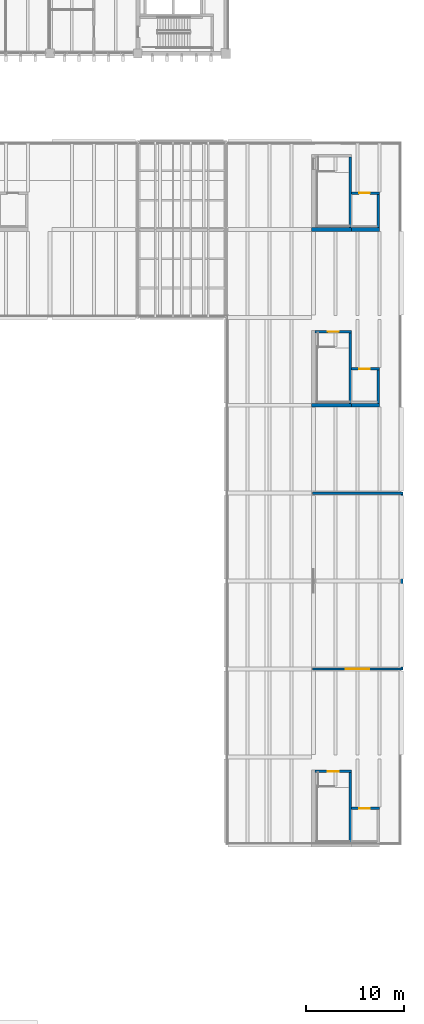
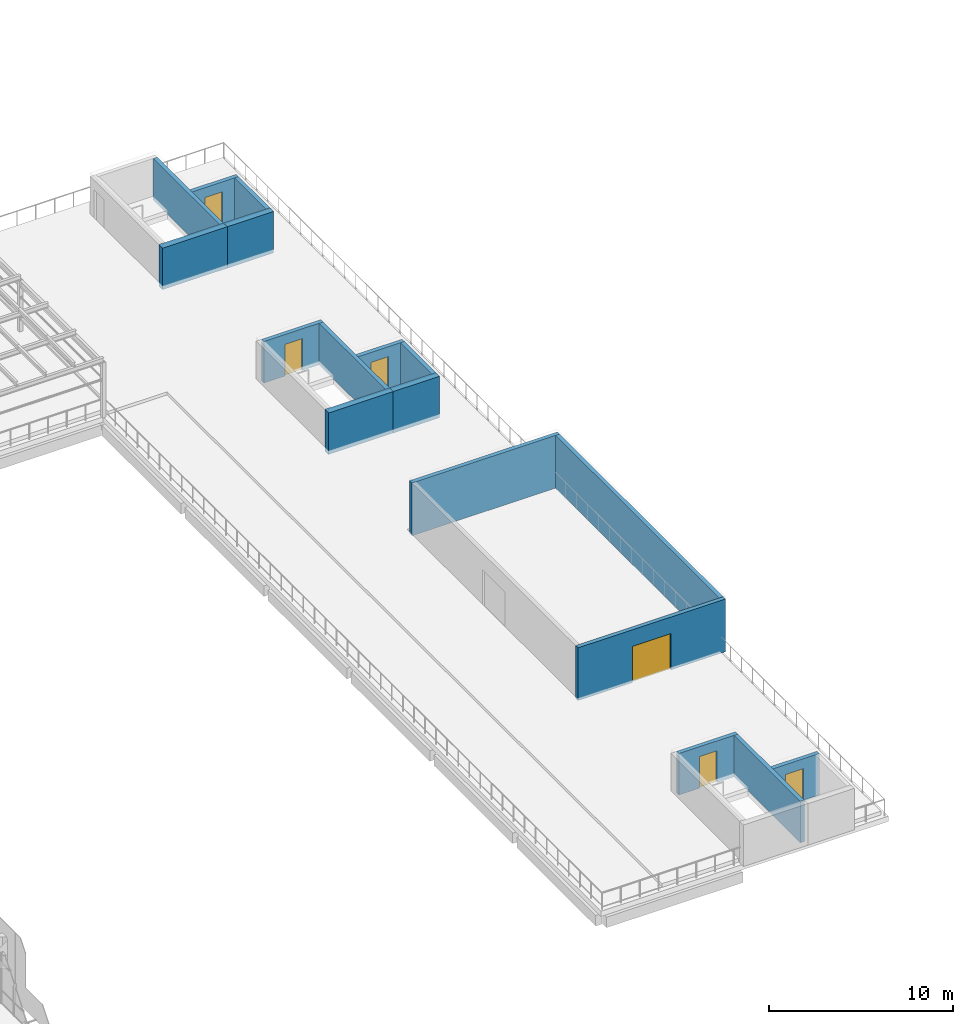
# One storey, part 47 of 74: 17 walls, 6 doors, 6 openings.
"""IFC4 building model written with IfcOpenShell, lengths in metres."""

from ifc_helpers import new_model, si_unit, direction, frame, frame_2d, origin, place, context, subcontext, project, spatial, rectangle, extrude, material, layer, layer_set, type_object, element, fill, save


model = new_model("IFC4")

# Units and contexts
model_context = context("Model", 3, precision=1e-05, world=origin(), true_north=direction((0.0, 1.0)))
body_context = subcontext(model_context, "Body", "Model", "MODEL_VIEW")
ifc_project = project(units=[si_unit("LENGTHUNIT", "METRE"), si_unit("AREAUNIT", "SQUARE_METRE"), si_unit("VOLUMEUNIT", "CUBIC_METRE"), si_unit("PLANEANGLEUNIT", "RADIAN"), si_unit("MASSUNIT", "GRAM", prefix="KILO")], contexts=[model_context])

# Site, building, storey
site_placement = place(None, origin())
site = spatial("IfcSite", under=ifc_project, at=site_placement, CompositionType="ELEMENT")
building_placement = place(site_placement, origin())
building = spatial("IfcBuilding", under=site, at=building_placement, Name="Merrow Basin Faculty of Sciences", CompositionType="ELEMENT")
storey_placement = place(building_placement, frame((0.0, 0.0, 13.5)))
storey = spatial("IfcBuildingStorey", under=building, at=storey_placement, Name="L03", CompositionType="ELEMENT", Elevation=13.5)

# Wall, opening, door
ifc_material_1 = material(Name="Concrete C40/50", Category="concrete")
ifc_layer_1 = layer(ifc_material_1, 0.25)
ifc_layer_set_1 = layer_set([ifc_layer_1], Name="Pavilion wall 250 Concrete C40/50")
wall_type_1 = type_object("IfcWallType", Name="Pavilion wall 250 Concrete C40/50", PredefinedType="SHEAR", material=ifc_layer_set_1)
wall_1_placement = place(storey_placement, frame((62.875, 79.0, 0.0), z_axis=(0.0, 0.0, 1.0), x_axis=(1.0, 0.0, 0.0)))
wall_1 = element("IfcWall", 1, at=wall_1_placement, inside=storey, type_object=wall_type_1, Name="SW9 L03 029", PredefinedType="SHEAR", context=body_context, shape_type="SweptSolid", body=[
    extrude(rectangle(XDim=9.25, YDim=0.25, at=frame_2d((4.625, 0.0))), origin(), (0.0, 0.0, 1.0), 3.5),
])
opening_1_placement = place(wall_1_placement, frame((3.425048828125, 0.0, 0.0)))
opening_1 = element("IfcOpeningElement", 2, at=opening_1_placement, cuts=wall_1, Name="Opening D03C002", PredefinedType="OPENING", context=body_context, shape_type="SweptSolid", body=[
    extrude(rectangle(XDim=2.39990234375, YDim=2.39990234375, at=frame_2d((1.199951171875, 1.199951171875))), frame((0.0, 0.135009765625, 0.0), z_axis=(0.0, -1.0, 0.0), x_axis=(1.0, 0.0, 0.0)), (0.0, 0.0, 1.0), 0.27001953125),
])
ifc_material_2 = material(Name="Glazed aluminium door", Category="aluminium")
door_type_1 = type_object("IfcDoorType", Name="Glazed double door 2400 x 2400", OperationType="NOTDEFINED", PredefinedType="DOOR", material=ifc_material_2)
door_1_placement = place(opening_1_placement, frame((2.39990234375, 0.0, 0.0), z_axis=(0.0, 0.0, 1.0), x_axis=(-1.0, 0.0, 0.0)))
door_1 = element("IfcDoor", 3, at=door_1_placement, inside=storey, type_object=door_type_1, Name="Terrace cafe south door", OperationType="DOUBLE_DOOR_SINGLE_SWING", OverallHeight=2.39990234375, OverallWidth=2.39990234375, PredefinedType="DOOR", context=body_context, shape_type="SweptSolid", body=[
    extrude(rectangle(XDim=2.39990234375, YDim=2.39990234375, at=frame_2d((1.199951171875, 1.199951171875))), frame((0.0, 0.02490234375, 0.0), z_axis=(0.0, -1.0, 0.0), x_axis=(1.0, 0.0, 0.0)), (0.0, 0.0, 1.0), 0.050048828125),
])
fill(opening_1, door_1)

# Walls
wall_2_placement = place(storey_placement, frame((62.875, 97.0, 0.0), z_axis=(0.0, 0.0, 1.0), x_axis=(1.0, 0.0, 0.0)))
element("IfcWall", 4, at=wall_2_placement, inside=storey, type_object=wall_type_1, Name="SW9 L03 030", PredefinedType="SHEAR", context=body_context, shape_type="SweptSolid", body=[
    extrude(rectangle(XDim=9.25, YDim=0.25, at=frame_2d((4.625, 0.0))), origin(), (0.0, 0.0, 1.0), 3.5),
])
wall_3_placement = place(storey_placement, frame((72.0, 79.125, 0.0), z_axis=(0.0, 0.0, 1.0), x_axis=(0.0, 1.0, 0.0)))
element("IfcWall", 5, at=wall_3_placement, inside=storey, type_object=wall_type_1, Name="SW9 L03 032", PredefinedType="SHEAR", context=body_context, shape_type="SweptSolid", body=[
    extrude(rectangle(XDim=17.75, YDim=0.25, at=frame_2d((8.875, 0.0))), origin(), (0.0, 0.0, 1.0), 3.5),
])

# Wall, opening, door
ifc_material_3 = material(Name="Concrete C40/50", Category="concrete")
ifc_layer_2 = layer(ifc_material_3, 0.25)
ifc_layer_set_2 = layer_set([ifc_layer_2], Name="Shear wall 250 Concrete C40/50")
wall_type_2 = type_object("IfcWallType", Name="Shear wall 250 Concrete C40/50", PredefinedType="SHEAR", material=ifc_layer_set_2)
wall_4_placement = place(storey_placement, frame((63.14990234375, 68.52490234375, 0.0), z_axis=(0.0, 0.0, 1.0), x_axis=(1.0, 0.0, 0.0)))
wall_4 = element("IfcWall", 6, at=wall_4_placement, inside=storey, type_object=wall_type_2, Name="SW2 L03 009", PredefinedType="SHEAR", context=body_context, shape_type="SweptSolid", body=[
    extrude(rectangle(XDim=3.7001953125, YDim=0.25, at=frame_2d((1.85009765625, 0.0))), origin(), (0.0, 0.0, 1.0), 2.75),
])
opening_2_placement = place(wall_4_placement, frame((1.300048828125, 0.0, 0.0)))
opening_2 = element("IfcOpeningElement", 7, at=opening_2_placement, cuts=wall_4, Name="Opening D03C003", PredefinedType="OPENING", context=body_context, shape_type="SweptSolid", body=[
    extrude(rectangle(XDim=1.10009765625, YDim=2.10009765625, at=frame_2d((0.550048828125, 1.050048828125))), frame((0.0, 0.135009765625, 0.0), z_axis=(0.0, -1.0, 0.0), x_axis=(1.0, 0.0, 0.0)), (0.0, 0.0, 1.0), 0.27001953125),
])
ifc_material_4 = material(Name="Fire-rated steel door", Category="steel")
door_type_2 = type_object("IfcDoorType", Name="Fire door FD90 1100 x 2100", OperationType="NOTDEFINED", PredefinedType="DOOR", material=ifc_material_4)
door_2_placement = place(opening_2_placement, origin())
door_2 = element("IfcDoor", 8, at=door_2_placement, inside=storey, type_object=door_type_2, Name="Stair S roof terrace door", OperationType="SINGLE_SWING_RIGHT", OverallHeight=2.10009765625, OverallWidth=1.10009765625, PredefinedType="DOOR", context=body_context, shape_type="SweptSolid", body=[
    extrude(rectangle(XDim=1.10009765625, YDim=2.10009765625, at=frame_2d((0.550048828125, 1.050048828125))), frame((0.0, 0.02490234375, 0.0), z_axis=(0.0, -1.0, 0.0), x_axis=(1.0, 0.0, 0.0)), (0.0, 0.0, 1.0), 0.050048828125),
])
fill(opening_2, door_2)

# Wall
wall_5_placement = place(storey_placement, frame((66.72509765625, 61.199951171875, 0.0), z_axis=(0.0, 0.0, 1.0), x_axis=(0.0, 1.0, 0.0)))
element("IfcWall", 9, at=wall_5_placement, inside=storey, type_object=wall_type_2, Name="SW2 L03 011", PredefinedType="SHEAR", context=body_context, shape_type="SweptSolid", body=[
    extrude(rectangle(XDim=7.199951171875, YDim=0.25, at=frame_2d((3.60009765625, 0.0))), origin(), (0.0, 0.0, 1.0), 2.75),
])

# Wall, opening, door
wall_6_placement = place(storey_placement, frame((66.85009765625, 64.72509765625, 0.0), z_axis=(0.0, 0.0, 1.0), x_axis=(1.0, 0.0, 0.0)))
wall_6 = element("IfcWall", 10, at=wall_6_placement, inside=storey, type_object=wall_type_2, Name="SW2 L03 013", PredefinedType="SHEAR", context=body_context, shape_type="SweptSolid", body=[
    extrude(rectangle(XDim=2.89990234375, YDim=0.25, at=frame_2d((1.449951171875, 0.0))), origin(), (0.0, 0.0, 1.0), 2.75),
])
opening_3_placement = place(wall_6_placement, frame((0.800048828125, 0.0, 0.0)))
opening_3 = element("IfcOpeningElement", 11, at=opening_3_placement, cuts=wall_6, Name="Opening LD03C02", PredefinedType="OPENING", context=body_context, shape_type="SweptSolid", body=[
    extrude(rectangle(XDim=1.10009765625, YDim=2.10009765625, at=frame_2d((0.550048828125, 1.050048828125))), frame((0.0, 0.135009765625, 0.0), z_axis=(0.0, -1.0, 0.0), x_axis=(1.0, 0.0, 0.0)), (0.0, 0.0, 1.0), 0.27001953125),
])
ifc_material_5 = material(Name="Stainless steel sliding door", Category="steel")
door_type_3 = type_object("IfcDoorType", Name="Lift landing door 1100 x 2100 sliding", OperationType="NOTDEFINED", PredefinedType="DOOR", material=ifc_material_5)
door_3_placement = place(opening_3_placement, origin())
door_3 = element("IfcDoor", 12, at=door_3_placement, inside=storey, type_object=door_type_3, Name="Landing door LF6 L03", OperationType="SLIDING_TO_LEFT", OverallHeight=2.10009765625, OverallWidth=1.10009765625, PredefinedType="DOOR", context=body_context, shape_type="SweptSolid", body=[
    extrude(rectangle(XDim=1.10009765625, YDim=2.10009765625, at=frame_2d((0.550048828125, 1.050048828125))), frame((0.0, 0.02490234375, 0.0), z_axis=(0.0, -1.0, 0.0), x_axis=(1.0, 0.0, 0.0)), (0.0, 0.0, 1.0), 0.050048828125),
])
fill(opening_3, door_3)

wall_7_placement = place(storey_placement, frame((63.14990234375, 113.52490234375, 0.0), z_axis=(0.0, 0.0, 1.0), x_axis=(1.0, 0.0, 0.0)))
wall_7 = element("IfcWall", 13, at=wall_7_placement, inside=storey, type_object=wall_type_2, Name="SW2 L03 016", PredefinedType="SHEAR", context=body_context, shape_type="SweptSolid", body=[
    extrude(rectangle(XDim=3.7001953125, YDim=0.25, at=frame_2d((1.85009765625, 0.0))), origin(), (0.0, 0.0, 1.0), 2.75),
])
opening_4_placement = place(wall_7_placement, frame((1.300048828125, 0.0, 0.0)))
opening_4 = element("IfcOpeningElement", 14, at=opening_4_placement, cuts=wall_7, Name="Opening D03C004", PredefinedType="OPENING", context=body_context, shape_type="SweptSolid", body=[
    extrude(rectangle(XDim=1.10009765625, YDim=2.10009765625, at=frame_2d((0.550048828125, 1.050048828125))), frame((0.0, 0.135009765625, 0.0), z_axis=(0.0, -1.0, 0.0), x_axis=(1.0, 0.0, 0.0)), (0.0, 0.0, 1.0), 0.27001953125),
])
door_4_placement = place(opening_4_placement, origin())
door_4 = element("IfcDoor", 15, at=door_4_placement, inside=storey, type_object=door_type_2, Name="Stair M roof terrace door", OperationType="SINGLE_SWING_RIGHT", OverallHeight=2.10009765625, OverallWidth=1.10009765625, PredefinedType="DOOR", context=body_context, shape_type="SweptSolid", body=[
    extrude(rectangle(XDim=1.10009765625, YDim=2.10009765625, at=frame_2d((0.550048828125, 1.050048828125))), frame((0.0, 0.02490234375, 0.0), z_axis=(0.0, -1.0, 0.0), x_axis=(1.0, 0.0, 0.0)), (0.0, 0.0, 1.0), 0.050048828125),
])
fill(opening_4, door_4)

# Wall
wall_8_placement = place(storey_placement, frame((66.72509765625, 106.199951171875, 0.0), z_axis=(0.0, 0.0, 1.0), x_axis=(0.0, 1.0, 0.0)))
element("IfcWall", 16, at=wall_8_placement, inside=storey, type_object=wall_type_2, Name="SW2 L03 018", PredefinedType="SHEAR", context=body_context, shape_type="SweptSolid", body=[
    extrude(rectangle(XDim=7.199951171875, YDim=0.25, at=frame_2d((3.60009765625, 0.0))), origin(), (0.0, 0.0, 1.0), 2.75),
])

# Wall, opening, door
wall_9_placement = place(storey_placement, frame((66.85009765625, 109.72509765625, 0.0), z_axis=(0.0, 0.0, 1.0), x_axis=(1.0, 0.0, 0.0)))
wall_9 = element("IfcWall", 17, at=wall_9_placement, inside=storey, type_object=wall_type_2, Name="SW2 L03 020", PredefinedType="SHEAR", context=body_context, shape_type="SweptSolid", body=[
    extrude(rectangle(XDim=2.89990234375, YDim=0.25, at=frame_2d((1.449951171875, 0.0))), origin(), (0.0, 0.0, 1.0), 2.75),
])
opening_5_placement = place(wall_9_placement, frame((0.800048828125, 0.0, 0.0)))
opening_5 = element("IfcOpeningElement", 18, at=opening_5_placement, cuts=wall_9, Name="Opening LD03C03", PredefinedType="OPENING", context=body_context, shape_type="SweptSolid", body=[
    extrude(rectangle(XDim=1.10009765625, YDim=2.10009765625, at=frame_2d((0.550048828125, 1.050048828125))), frame((0.0, 0.135009765625, 0.0), z_axis=(0.0, -1.0, 0.0), x_axis=(1.0, 0.0, 0.0)), (0.0, 0.0, 1.0), 0.27001953125),
])
door_5_placement = place(opening_5_placement, origin())
door_5 = element("IfcDoor", 19, at=door_5_placement, inside=storey, type_object=door_type_3, Name="Landing door LF7 L03", OperationType="SLIDING_TO_LEFT", OverallHeight=2.10009765625, OverallWidth=1.10009765625, PredefinedType="DOOR", context=body_context, shape_type="SweptSolid", body=[
    extrude(rectangle(XDim=1.10009765625, YDim=2.10009765625, at=frame_2d((0.550048828125, 1.050048828125))), frame((0.0, 0.02490234375, 0.0), z_axis=(0.0, -1.0, 0.0), x_axis=(1.0, 0.0, 0.0)), (0.0, 0.0, 1.0), 0.050048828125),
])
fill(opening_5, door_5)

# Walls
wall_10_placement = place(storey_placement, frame((69.625, 106.199951171875, 0.0), z_axis=(0.0, 0.0, 1.0), x_axis=(0.0, 1.0, 0.0)))
element("IfcWall", 20, at=wall_10_placement, inside=storey, type_object=wall_type_2, Name="SW2 L03 021", PredefinedType="SHEAR", context=body_context, shape_type="SweptSolid", body=[
    extrude(rectangle(XDim=3.400146484375, YDim=0.25, at=frame_2d((1.7001953125, 0.0))), origin(), (0.0, 0.0, 1.0), 2.75),
])
wall_11_placement = place(storey_placement, frame((66.72509765625, 124.199951171875, 0.0), z_axis=(0.0, 0.0, 1.0), x_axis=(0.0, 1.0, 0.0)))
element("IfcWall", 21, at=wall_11_placement, inside=storey, type_object=wall_type_2, Name="SW2 L03 025", PredefinedType="SHEAR", context=body_context, shape_type="SweptSolid", body=[
    extrude(rectangle(XDim=7.199951171875, YDim=0.25, at=frame_2d((3.60009765625, 0.0))), origin(), (0.0, 0.0, 1.0), 2.75),
])

# Wall, opening, door
wall_12_placement = place(storey_placement, frame((66.85009765625, 127.72509765625, 0.0), z_axis=(0.0, 0.0, 1.0), x_axis=(1.0, 0.0, 0.0)))
wall_12 = element("IfcWall", 22, at=wall_12_placement, inside=storey, type_object=wall_type_2, Name="SW2 L03 027", PredefinedType="SHEAR", context=body_context, shape_type="SweptSolid", body=[
    extrude(rectangle(XDim=2.89990234375, YDim=0.25, at=frame_2d((1.449951171875, 0.0))), origin(), (0.0, 0.0, 1.0), 2.75),
])
opening_6_placement = place(wall_12_placement, frame((0.800048828125, 0.0, 0.0)))
opening_6 = element("IfcOpeningElement", 23, at=opening_6_placement, cuts=wall_12, Name="Opening LD03C04", PredefinedType="OPENING", context=body_context, shape_type="SweptSolid", body=[
    extrude(rectangle(XDim=1.10009765625, YDim=2.10009765625, at=frame_2d((0.550048828125, 1.050048828125))), frame((0.0, 0.135009765625, 0.0), z_axis=(0.0, -1.0, 0.0), x_axis=(1.0, 0.0, 0.0)), (0.0, 0.0, 1.0), 0.27001953125),
])
door_6_placement = place(opening_6_placement, origin())
door_6 = element("IfcDoor", 24, at=door_6_placement, inside=storey, type_object=door_type_3, Name="Landing door LF8 L03", OperationType="SLIDING_TO_LEFT", OverallHeight=2.10009765625, OverallWidth=1.10009765625, PredefinedType="DOOR", context=body_context, shape_type="SweptSolid", body=[
    extrude(rectangle(XDim=1.10009765625, YDim=2.10009765625, at=frame_2d((0.550048828125, 1.050048828125))), frame((0.0, 0.02490234375, 0.0), z_axis=(0.0, -1.0, 0.0), x_axis=(1.0, 0.0, 0.0)), (0.0, 0.0, 1.0), 0.050048828125),
])
fill(opening_6, door_6)

# Walls
wall_13_placement = place(storey_placement, frame((69.625, 124.199951171875, 0.0), z_axis=(0.0, 0.0, 1.0), x_axis=(0.0, 1.0, 0.0)))
element("IfcWall", 25, at=wall_13_placement, inside=storey, type_object=wall_type_2, Name="SW2 L03 028", PredefinedType="SHEAR", context=body_context, shape_type="SweptSolid", body=[
    extrude(rectangle(XDim=3.400146484375, YDim=0.25, at=frame_2d((1.7001953125, 0.0))), origin(), (0.0, 0.0, 1.0), 2.75),
])
ifc_material_6 = material(Name="Concrete C40/50", Category="concrete")
ifc_layer_3 = layer(ifc_material_6, 0.39990234375)
ifc_layer_set_3 = layer_set([ifc_layer_3], Name="Shear wall 400 Concrete C40/50")
wall_type_3 = type_object("IfcWallType", Name="Shear wall 400 Concrete C40/50", PredefinedType="SHEAR", material=ifc_layer_set_3)
wall_14_placement = place(storey_placement, frame((62.800048828125, 106.0, 0.0), z_axis=(0.0, 0.0, 1.0), x_axis=(1.0, 0.0, 0.0)))
element("IfcWall", 26, at=wall_14_placement, inside=storey, type_object=wall_type_3, Name="SW1 L03 015", PredefinedType="SHEAR", context=body_context, shape_type="SweptSolid", body=[
    extrude(rectangle(XDim=4.050048828125, YDim=0.39990234375, at=frame_2d((2.02490234375, 0.0))), origin(), (0.0, 0.0, 1.0), 2.75),
])
wall_15_placement = place(storey_placement, frame((66.85009765625, 106.0, 0.0), z_axis=(0.0, 0.0, 1.0), x_axis=(1.0, 0.0, 0.0)))
element("IfcWall", 27, at=wall_15_placement, inside=storey, type_object=wall_type_3, Name="SW1 L03 019", PredefinedType="SHEAR", context=body_context, shape_type="SweptSolid", body=[
    extrude(rectangle(XDim=2.89990234375, YDim=0.39990234375, at=frame_2d((1.449951171875, 0.0))), origin(), (0.0, 0.0, 1.0), 2.75),
])
wall_16_placement = place(storey_placement, frame((62.800048828125, 124.0, 0.0), z_axis=(0.0, 0.0, 1.0), x_axis=(1.0, 0.0, 0.0)))
element("IfcWall", 28, at=wall_16_placement, inside=storey, type_object=wall_type_3, Name="SW1 L03 022", PredefinedType="SHEAR", context=body_context, shape_type="SweptSolid", body=[
    extrude(rectangle(XDim=4.050048828125, YDim=0.39990234375, at=frame_2d((2.02490234375, 0.0))), origin(), (0.0, 0.0, 1.0), 2.75),
])
wall_17_placement = place(storey_placement, frame((66.85009765625, 124.0, 0.0), z_axis=(0.0, 0.0, 1.0), x_axis=(1.0, 0.0, 0.0)))
element("IfcWall", 29, at=wall_17_placement, inside=storey, type_object=wall_type_3, Name="SW1 L03 026", PredefinedType="SHEAR", context=body_context, shape_type="SweptSolid", body=[
    extrude(rectangle(XDim=2.89990234375, YDim=0.39990234375, at=frame_2d((1.449951171875, 0.0))), origin(), (0.0, 0.0, 1.0), 2.75),
])

save(model, "model.ifc")
